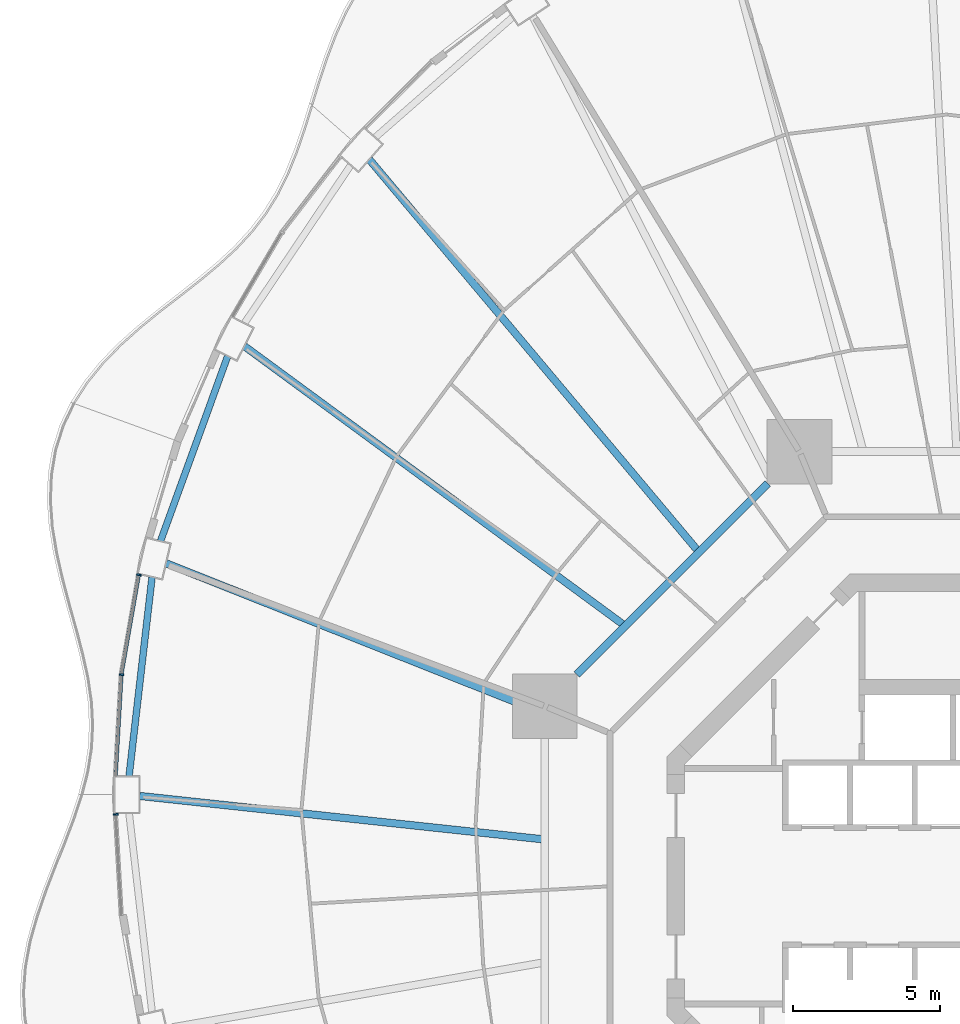
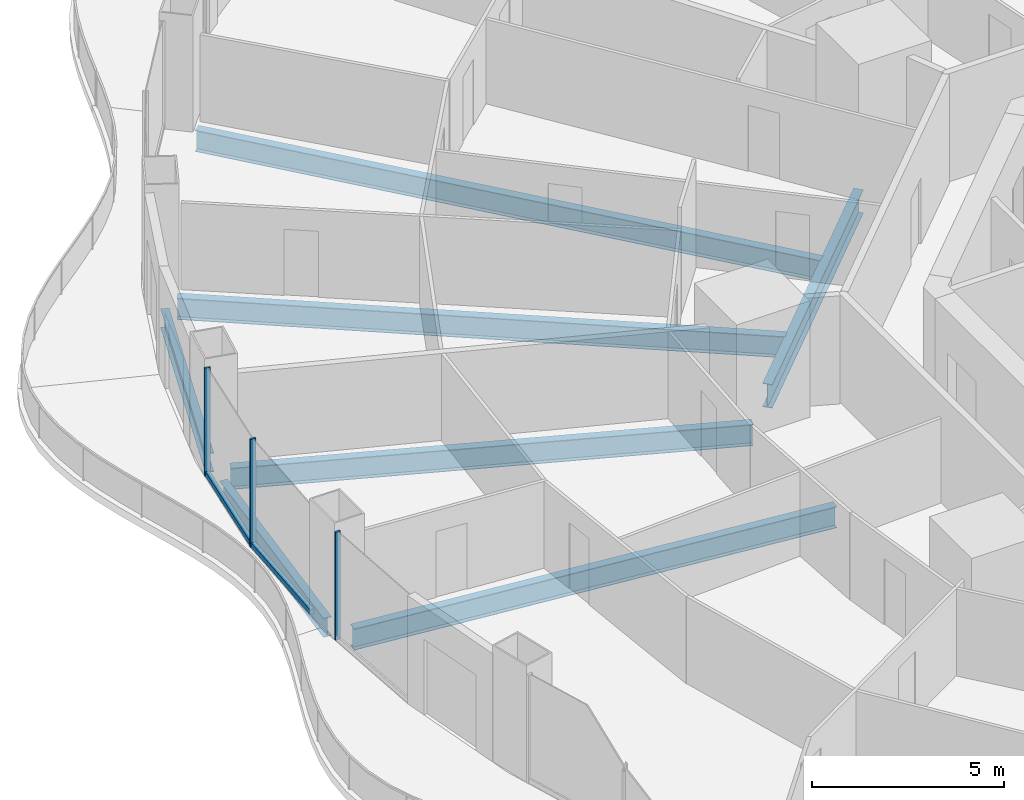
# One storey, part 7 of 22: 7 beams, 5 members, 3 elements without a shape of their own.
"""IFC4 building model written with IfcOpenShell, lengths in metres."""

import ifcopenshell
import ifcopenshell.guid

model = None  # the IFC model being written
_history = None  # IfcOwnerHistory: only IFC2X3 demands one
_inside = {}  # id of a spatial element -> (the spatial element, [elements in it])
_under = {}  # id of a project, library or spatial element -> (it, [spatial elements below it])
_declared = {}  # id of a project -> (the project, [libraries it declares])
_typed = {}  # id of a type object -> (the type object, [elements of that type])
_made_of = {}  # id of a material, layer set ... -> (it, [elements and type objects made of it])


def new_model(schema):
    """Start an empty IFC model of exactly this schema.

    Asked for "IFC4X3", IfcOpenShell would pick the latest addendum, in which some entities
    have other attributes; the version numbers below select the first issue.
    IFC2X3 requires an IfcOwnerHistory on every rooted entity: one is made here for all.
    """
    global model, _history
    if schema == "IFC4X3":
        model = ifcopenshell.file(schema_version=(4, 3, 0, 0))
    else:
        model = ifcopenshell.file(schema=schema)
    _inside.clear()
    _under.clear()
    _declared.clear()
    _typed.clear()
    _made_of.clear()
    _history = None
    if model.schema == "IFC2X3":
        org = make("IfcOrganization", Name="unknown")
        user = make(
            "IfcPersonAndOrganization",
            ThePerson=make("IfcPerson", FamilyName="unknown"),
            TheOrganization=org,
        )
        app = make(
            "IfcApplication",
            ApplicationDeveloper=org,
            Version="unknown",
            ApplicationFullName="unknown",
            ApplicationIdentifier="unknown",
        )
        _history = make(
            "IfcOwnerHistory",
            OwningUser=user,
            OwningApplication=app,
            ChangeAction="ADDED",
            CreationDate=0,
        )
    return model


def make(cls, **values):
    """One entity of the class cls with the attributes given. An attribute that is None is left unset."""
    return model.create_entity(
        cls, **{name: value for name, value in values.items() if value is not None}
    )


def rooted(cls, **values):
    """An entity with a GlobalId (a new one), such as an element, a storey or a relation."""
    return make(cls, GlobalId=ifcopenshell.guid.new(), OwnerHistory=_history, **values)


def si_unit(unit_type, name, prefix=None):
    """IfcSIUnit, for example si_unit("LENGTHUNIT", "METRE", prefix="MILLI")."""
    return make("IfcSIUnit", UnitType=unit_type, Prefix=prefix, Name=name)


def assignment(units):
    """IfcUnitAssignment: the units of a project."""
    return None if units is None else make("IfcUnitAssignment", Units=units)


def point(xyz):
    """IfcCartesianPoint."""
    return None if xyz is None else make("IfcCartesianPoint", Coordinates=xyz)


def direction(xyz):
    """IfcDirection."""
    return None if xyz is None else make("IfcDirection", DirectionRatios=xyz)


def frame(location, z_axis=None, x_axis=None):
    """IfcAxis2Placement3D, a coordinate frame: its origin and axes. An axis left out is left unset."""
    return make(
        "IfcAxis2Placement3D",
        Location=point(location),
        Axis=direction(z_axis),
        RefDirection=direction(x_axis),
    )


def frame_2d(location, x_axis=None):
    """IfcAxis2Placement2D, a coordinate frame in the plane: its origin and x axis."""
    return make(
        "IfcAxis2Placement2D", Location=point(location), RefDirection=direction(x_axis)
    )


def origin():
    """The frame at (0, 0, 0) with its axes left unset."""
    return frame((0.0, 0.0, 0.0))


def origin_2d():
    """The frame at (0, 0) in the plane with its x axis left unset."""
    return frame_2d((0.0, 0.0))


def place(relative_to, where):
    """IfcLocalPlacement: puts the frame where relative to a parent placement (None: the world)."""
    return make(
        "IfcLocalPlacement", PlacementRelTo=relative_to, RelativePlacement=where
    )


def context(
    kind, dimensions, precision=None, world=None, true_north=None, identifier=None
):
    """IfcGeometricRepresentationContext, for example the 3D "Model" context."""
    return make(
        "IfcGeometricRepresentationContext",
        ContextIdentifier=identifier,
        ContextType=kind,
        CoordinateSpaceDimension=dimensions,
        Precision=precision,
        WorldCoordinateSystem=world,
        TrueNorth=true_north,
    )


def subcontext(parent, identifier, kind, view, scale=None):
    """IfcGeometricRepresentationSubContext, for example "Body" below "Model"."""
    return make(
        "IfcGeometricRepresentationSubContext",
        ContextIdentifier=identifier,
        ContextType=kind,
        ParentContext=parent,
        TargetScale=scale,
        TargetView=view,
    )


def project(units=None, contexts=None):
    """IfcProject with its units and contexts."""
    return rooted(
        "IfcProject",
        Name="project",
        RepresentationContexts=contexts,
        UnitsInContext=assignment(units),
    )


def spatial(cls, under=None, at=None, **own):
    """A site, building, storey or space (cls), placed at a placement, below another one or the project."""
    s = rooted(cls, ObjectPlacement=at, **own)
    if under is not None:
        _under.setdefault(under.id(), (under, []))[1].append(s)
    return s


def profile(cls, at=None, kind="AREA", **sizes):
    """A parametric profile (cls). Its sizes go by their IFC names, for example OverallWidth=200.0."""
    return make(cls, ProfileType=kind, Position=at, **sizes)


def rectangle(**sizes):
    """IfcRectangleProfileDef."""
    return profile("IfcRectangleProfileDef", **sizes)


def i_section(**sizes):
    """IfcIShapeProfileDef."""
    return profile("IfcIShapeProfileDef", **sizes)


def extrude(swept, where, along, depth):
    """IfcExtrudedAreaSolid: the profile swept, set in the frame where, extruded along a direction by depth."""
    return make(
        "IfcExtrudedAreaSolid",
        SweptArea=swept,
        Position=where,
        ExtrudedDirection=direction(along),
        Depth=depth,
    )


def shape(context_of_items, identifier, shape_type, items):
    """IfcShapeRepresentation: the items that make up one representation, for example the "Body"."""
    return make(
        "IfcShapeRepresentation",
        ContextOfItems=context_of_items,
        RepresentationIdentifier=identifier,
        RepresentationType=shape_type,
        Items=items,
    )


def material(Name=None, Category=None):
    """IfcMaterial."""
    return make("IfcMaterial", Name=Name, Category=Category)


def layer(
    of_material, thickness, ventilated=None, Name=None, Category=None, Priority=None
):
    """IfcMaterialLayer: one layer of a wall or slab, of a material (None: an air gap)."""
    return make(
        "IfcMaterialLayer",
        Material=of_material,
        LayerThickness=thickness,
        IsVentilated=ventilated,
        Name=Name,
        Category=Category,
        Priority=Priority,
    )


def layer_set(layers, Name=None):
    """IfcMaterialLayerSet."""
    return make("IfcMaterialLayerSet", MaterialLayers=layers, LayerSetName=Name)


def material_profile(
    of_material, cross_section, Name=None, Category=None, Priority=None
):
    """IfcMaterialProfile: a cross section and its material."""
    return make(
        "IfcMaterialProfile",
        Name=Name,
        Material=of_material,
        Profile=cross_section,
        Priority=Priority,
        Category=Category,
    )


def profile_set(profiles, Name=None, composite=None):
    """IfcMaterialProfileSet."""
    return make(
        "IfcMaterialProfileSet",
        Name=Name,
        MaterialProfiles=profiles,
        CompositeProfile=composite,
    )


def made_of(thing, what):
    """Note that an element or type object is made of a material, layer set ...; save() writes the relation."""
    if what is not None:
        _made_of.setdefault(what.id(), (what, []))[1].append(thing)
    return thing


def type_object(cls, material=None, **own):
    """A type object (cls), such as IfcWallType, which elements share."""
    return made_of(rooted(cls, **own), material)


def element(
    cls,
    number,
    at=None,
    inside=None,
    cuts=None,
    type_object=None,
    material=None,
    context=None,
    identifier="Body",
    shape_type=None,
    held_by="IfcProductDefinitionShape",
    body=None,
    shapes=None,
    **own,
):
    """One element of the class cls, such as IfcWall. Its Tag is "e" and its number.

    at: its placement. inside: the storey or other place that contains it. cuts: it is an
    opening in that element (IfcRelVoidsElement). A single representation is given by context,
    identifier, shape_type and body (its items); several are given by shapes. held_by: the class
    of the entity that holds the representations. save() writes the other relations.
    """
    e = rooted(cls, Tag="e%d" % number, ObjectPlacement=at, **own)
    if body is not None:
        shapes = [shape(context, identifier, shape_type, body)]
    if shapes is not None:
        e.Representation = make(held_by, Representations=shapes)
    if inside is not None:
        _inside.setdefault(inside.id(), (inside, []))[1].append(e)
    if cuts is not None:
        rooted(
            "IfcRelVoidsElement", RelatingBuildingElement=cuts, RelatedOpeningElement=e
        )
    if type_object is not None:
        _typed.setdefault(type_object.id(), (type_object, []))[1].append(e)
    return made_of(e, material)


def aggregate(whole, parts):
    """IfcRelAggregates: a whole, such as a stair, and the parts it consists of."""
    return rooted("IfcRelAggregates", RelatingObject=whole, RelatedObjects=parts)


def save(model, path):
    """Write the relations noted so far, then the file.

    IfcRelAggregates (storeys below a building ...), IfcRelContainedInSpatialStructure (elements
    in a storey), IfcRelDefinesByType, IfcRelAssociatesMaterial and IfcRelDeclares: one each for
    every whole, place, type object, material and project.
    """
    for whole, parts in _under.values():
        aggregate(whole, parts)
    for where, things in _inside.values():
        rooted(
            "IfcRelContainedInSpatialStructure",
            RelatedElements=things,
            RelatingStructure=where,
        )
    for kind, things in _typed.values():
        rooted("IfcRelDefinesByType", RelatedObjects=things, RelatingType=kind)
    for what, things in _made_of.values():
        rooted("IfcRelAssociatesMaterial", RelatedObjects=things, RelatingMaterial=what)
    for by, libraries in _declared.values():
        rooted("IfcRelDeclares", RelatingContext=by, RelatedDefinitions=libraries)
    model.write(path)


model = new_model("IFC4")

# Units and contexts
model_context = context("Model", 3, precision=1e-05, world=origin(), true_north=direction((0.0, 1.0)))
body_context = subcontext(model_context, "Body", "Model", "MODEL_VIEW")
ifc_project = project(units=[si_unit("LENGTHUNIT", "METRE"), si_unit("AREAUNIT", "SQUARE_METRE"), si_unit("VOLUMEUNIT", "CUBIC_METRE"), si_unit("PLANEANGLEUNIT", "RADIAN"), si_unit("MASSUNIT", "GRAM", prefix="KILO")], contexts=[model_context])

# Site, building, storey
site_placement = place(None, origin())
site = spatial("IfcSite", under=ifc_project, at=site_placement, CompositionType="ELEMENT")
building_placement = place(site_placement, origin())
building = spatial("IfcBuilding", under=site, at=building_placement, Name="Nagisa Residences", CompositionType="ELEMENT")
storey_placement = place(building_placement, frame((0.0, 0.0, 99.199951171875)))
storey = spatial("IfcBuildingStorey", under=building, at=storey_placement, Name="L24", CompositionType="ELEMENT", Elevation=99.199951171875)

# Curtain wall, member
ifc_material_1 = material(Name="Concrete-coloured aluminium curtain wall system", Category="concrete")
ifc_layer = layer(ifc_material_1, 0.159912109375)
ifc_layer_set = layer_set([ifc_layer], Name="CW1 CURTAIN WALL")
curtain_wall_type = type_object("IfcCurtainWallType", Name="CW1 CURTAIN WALL", PredefinedType="NOTDEFINED", material=ifc_layer_set)
curtain_wall_1_placement = place(storey_placement, origin())
curtain_wall_1 = element("IfcCurtainWall", 1, at=curtain_wall_1_placement, inside=storey, type_object=curtain_wall_type, Name="cw:CW1:L24:22", PredefinedType="NOTDEFINED")
ifc_material_2 = material(Name="Concrete-coloured aluminium", Category="concrete")
ifc_material_profile_1 = material_profile(ifc_material_2, rectangle(XDim=0.159912109375, YDim=0.06005859375, at=origin_2d()), Name="CW1 MULLION 160x60")
ifc_profile_set_1 = profile_set([ifc_material_profile_1], Name="Concrete-coloured aluminium")
member_type_1 = type_object("IfcMemberType", Name="CW1 MULLION 160x60", PredefinedType="MULLION", material=ifc_profile_set_1)
member_1_placement = place(storey_placement, frame((-28.589599609375, 10.5908203125, 0.0), z_axis=(0.0, 0.0, 1.0), x_axis=(0.985063604377, -0.172190868898, 0.0)))
member_1 = element("IfcMember", 2, at=member_1_placement, type_object=member_type_1, Name="CW1 mullion", PredefinedType="MULLION", context=body_context, shape_type="SweptSolid", body=[
    extrude(rectangle(XDim=0.159912109375, YDim=0.06005859375, at=origin_2d()), origin(), (0.0, 0.0, 1.0), 3.43994140625),
])

curtain_wall_2_placement = place(storey_placement, origin())
curtain_wall_2 = element("IfcCurtainWall", 3, at=curtain_wall_2_placement, inside=storey, type_object=curtain_wall_type, Name="cw:CW1:L24:23", PredefinedType="NOTDEFINED")
member_2_placement = place(storey_placement, frame((-29.179931640625, 7.19677734375, 0.0), z_axis=(0.0, 0.0, 1.0), x_axis=(0.998345305184, -0.057503492216, 0.0)))
member_2 = element("IfcMember", 4, at=member_2_placement, type_object=member_type_1, Name="CW1 mullion", PredefinedType="MULLION", context=body_context, shape_type="SweptSolid", body=[
    extrude(rectangle(XDim=0.159912109375, YDim=0.06005859375, at=origin_2d()), origin(), (0.0, 0.0, 1.0), 3.43994140625),
])

curtain_wall_3_placement = place(storey_placement, origin())
curtain_wall_3 = element("IfcCurtainWall", 5, at=curtain_wall_3_placement, inside=storey, type_object=curtain_wall_type, Name="cw:CW1:L24:24", PredefinedType="NOTDEFINED")
member_3_placement = place(storey_placement, frame((-29.3759765625, 2.443359375, 0.0), z_axis=(0.0, 0.0, 1.0), x_axis=(0.998345305184, 0.057503492216, 0.0)))
member_3 = element("IfcMember", 6, at=member_3_placement, type_object=member_type_1, Name="CW1 mullion", PredefinedType="MULLION", context=body_context, shape_type="SweptSolid", body=[
    extrude(rectangle(XDim=0.159912109375, YDim=0.06005859375, at=origin_2d()), origin(), (0.0, 0.0, 1.0), 3.43994140625),
])
aggregate(curtain_wall_3, [member_3])

# Member
ifc_material_3 = material(Name="Concrete-coloured aluminium", Category="concrete")
ifc_material_profile_2 = material_profile(ifc_material_3, rectangle(XDim=0.1201171875, YDim=0.14990234375, at=origin_2d()), Name="CW1 TRANSOM 120x150")
ifc_profile_set_2 = profile_set([ifc_material_profile_2], Name="Concrete-coloured aluminium")
member_type_2 = type_object("IfcMemberType", Name="CW1 TRANSOM 120x150", PredefinedType="USERDEFINED", material=ifc_profile_set_2)
member_4_placement = place(storey_placement, frame((-28.58447265625, 10.620361328125, 0.074951171875), z_axis=(-0.172164316671, -0.985068245385, 0.0), x_axis=(0.985068245385, -0.172164316671, 0.0)))
member_4 = element("IfcMember", 7, at=member_4_placement, type_object=member_type_2, Name="CW1 transom", ObjectType="TRANSOM", PredefinedType="USERDEFINED", context=body_context, shape_type="SweptSolid", body=[
    extrude(rectangle(XDim=0.1201171875, YDim=0.14990234375, at=origin_2d()), origin(), (0.0, 0.0, 1.0), 3.454345703125),
])

aggregate(curtain_wall_1, [member_1, member_4])

member_5_placement = place(storey_placement, frame((-29.17822265625, 7.2265625, 0.074951171875), z_axis=(-0.057476526179, -0.99834685803, 0.0), x_axis=(0.99834685803, -0.057476526179, 0.0)))
member_5 = element("IfcMember", 8, at=member_5_placement, type_object=member_type_2, Name="CW1 transom", ObjectType="TRANSOM", PredefinedType="USERDEFINED", context=body_context, shape_type="SweptSolid", body=[
    extrude(rectangle(XDim=0.1201171875, YDim=0.14990234375, at=origin_2d()), origin(), (0.0, 0.0, 1.0), 3.47021484375),
])

aggregate(curtain_wall_2, [member_2, member_5])

# Beams
ifc_material_4 = material(Name="Steel ASTM A572 Gr 50", Category="steel")
ifc_material_profile_3 = material_profile(ifc_material_4, i_section(OverallWidth=0.264892578125, OverallDepth=0.7529296875, WebThickness=0.01318359375, FlangeThickness=0.01708984375, at=origin_2d()), Name="W760x147")
ifc_profile_set_3 = profile_set([ifc_material_profile_3], Name="Steel ASTM A572 Gr 50")
beam_type_1 = type_object("IfcBeamType", Name="Inner ring beam W760x147", PredefinedType="BEAM", material=ifc_profile_set_3)
beam_1_placement = place(storey_placement, frame((-7.208740234375, 13.6962890625, -0.636474609375), z_axis=(-0.707106781187, -0.707106781187, 0.0), x_axis=(0.707106781187, -0.707106781187, 0.0)))
element("IfcBeam", 9, at=beam_1_placement, inside=storey, type_object=beam_type_1, Name="beam:L24:ib3", PredefinedType="BEAM", context=body_context, shape_type="SweptSolid", body=[
    extrude(i_section(OverallWidth=0.264892578125, OverallDepth=0.7529296875, WebThickness=0.01318359375, FlangeThickness=0.01708984375, at=origin_2d()), origin(), (0.0, 0.0, 1.0), 9.1748046875),
])
ifc_material_5 = material(Name="Steel ASTM A572 Gr 50", Category="steel")
ifc_material_profile_4 = material_profile(ifc_material_5, i_section(OverallWidth=0.22802734375, OverallDepth=0.60302734375, WebThickness=0.010498046875, FlangeThickness=0.014892578125, at=origin_2d()), Name="W610x101")
ifc_profile_set_4 = profile_set([ifc_material_profile_4], Name="Steel ASTM A572 Gr 50")
beam_type_2 = type_object("IfcBeamType", Name="Perimeter ring beam W610x101", PredefinedType="BEAM", material=ifc_profile_set_4)
beam_2_placement = place(storey_placement, frame((-25.568359375, 18.028564453125, -0.5615234375), z_axis=(-0.341365002286, -0.939930814057, 0.0), x_axis=(0.939930814057, -0.341365002286, 0.0)))
element("IfcBeam", 10, at=beam_2_placement, inside=storey, type_object=beam_type_2, Name="beam:L24:pb11", PredefinedType="BEAM", context=body_context, shape_type="SweptSolid", body=[
    extrude(i_section(OverallWidth=0.22802734375, OverallDepth=0.60302734375, WebThickness=0.010498046875, FlangeThickness=0.014892578125, at=origin_2d()), origin(), (0.0, 0.0, 1.0), 6.689208984375),
])
beam_3_placement = place(storey_placement, frame((-28.14111328125, 10.5146484375, -0.5615234375), z_axis=(-0.114690766503, -0.993401242237, 0.0), x_axis=(0.993401242237, -0.114690766503, 0.0)))
element("IfcBeam", 11, at=beam_3_placement, inside=storey, type_object=beam_type_2, Name="beam:L24:pb12", PredefinedType="BEAM", context=body_context, shape_type="SweptSolid", body=[
    extrude(i_section(OverallWidth=0.22802734375, OverallDepth=0.60302734375, WebThickness=0.010498046875, FlangeThickness=0.014892578125, at=origin_2d()), origin(), (0.0, 0.0, 1.0), 6.811767578125),
])
ifc_material_6 = material(Name="Steel ASTM A572 Gr 50", Category="steel")
ifc_material_profile_5 = material_profile(ifc_material_6, i_section(OverallWidth=0.2529296875, OverallDepth=0.677978515625, WebThickness=0.01171875, FlangeThickness=0.016357421875, at=origin_2d()), Name="W690x125")
ifc_profile_set_5 = profile_set([ifc_material_profile_5], Name="Steel ASTM A572 Gr 50")
beam_type_3 = type_object("IfcBeamType", Name="Radial beam W690x125", PredefinedType="BEAM", material=ifc_profile_set_5)
beam_4_placement = place(storey_placement, frame((-20.75, 24.71533203125, -0.598876953125), z_axis=(0.642994706096, -0.765870620884, 0.0), x_axis=(0.765870620884, 0.642994706096, 0.0)))
element("IfcBeam", 12, at=beam_4_placement, inside=storey, type_object=beam_type_3, Name="beam:L24:rb10", PredefinedType="BEAM", context=body_context, shape_type="SweptSolid", body=[
    extrude(i_section(OverallWidth=0.2529296875, OverallDepth=0.677978515625, WebThickness=0.01171875, FlangeThickness=0.016357421875, at=origin_2d()), origin(), (0.0, 0.0, 1.0), 17.319580078125),
])
beam_5_placement = place(storey_placement, frame((-25.0, 18.366943359375, -0.598876953125), z_axis=(0.805892392895, -0.59206203313, 0.0), x_axis=(0.59206203313, 0.805892392895, 0.0)))
element("IfcBeam", 13, at=beam_5_placement, inside=storey, type_object=beam_type_3, Name="beam:L24:rb11", PredefinedType="BEAM", context=body_context, shape_type="SweptSolid", body=[
    extrude(i_section(OverallWidth=0.2529296875, OverallDepth=0.677978515625, WebThickness=0.01171875, FlangeThickness=0.016357421875, at=origin_2d()), origin(), (0.0, 0.0, 1.0), 15.95361328125),
])
beam_6_placement = place(storey_placement, frame((-27.6640625, 10.984375, -0.598876953125), z_axis=(0.929418643834, -0.369027078267, 0.0), x_axis=(0.369027078267, 0.929418643834, 0.0)))
element("IfcBeam", 14, at=beam_6_placement, inside=storey, type_object=beam_type_3, Name="beam:L24:rb12", PredefinedType="BEAM", context=body_context, shape_type="SweptSolid", body=[
    extrude(i_section(OverallWidth=0.2529296875, OverallDepth=0.677978515625, WebThickness=0.01171875, FlangeThickness=0.016357421875, at=origin_2d()), origin(), (0.0, 0.0, 1.0), 13.73779296875),
])
beam_7_placement = place(storey_placement, frame((-28.56494140625, 3.071533203125, -0.598876953125), z_axis=(0.99426817007, -0.10691494744, 0.0), x_axis=(0.10691494744, 0.99426817007, 0.0)))
element("IfcBeam", 15, at=beam_7_placement, inside=storey, type_object=beam_type_3, Name="beam:L24:rb13", PredefinedType="BEAM", context=body_context, shape_type="SweptSolid", body=[
    extrude(i_section(OverallWidth=0.2529296875, OverallDepth=0.677978515625, WebThickness=0.01171875, FlangeThickness=0.016357421875, at=origin_2d()), origin(), (0.0, 0.0, 1.0), 13.7490234375),
])

save(model, "model.ifc")
